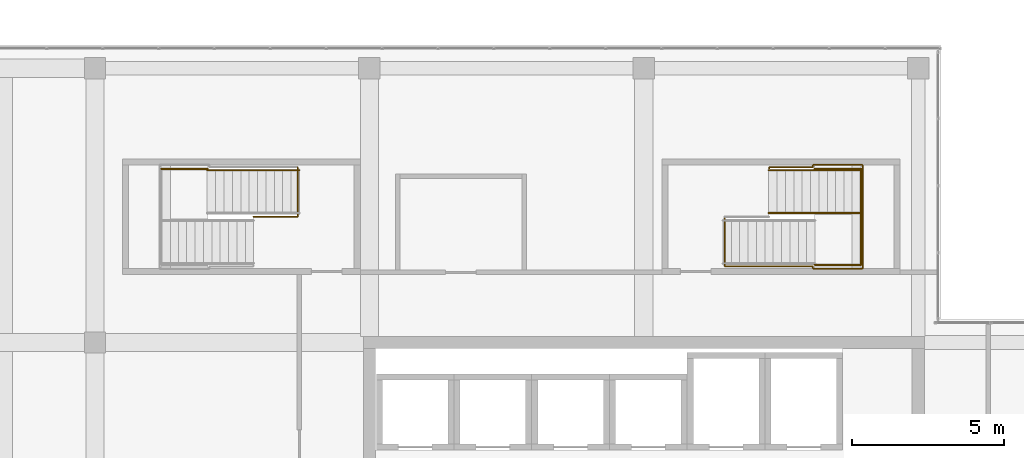
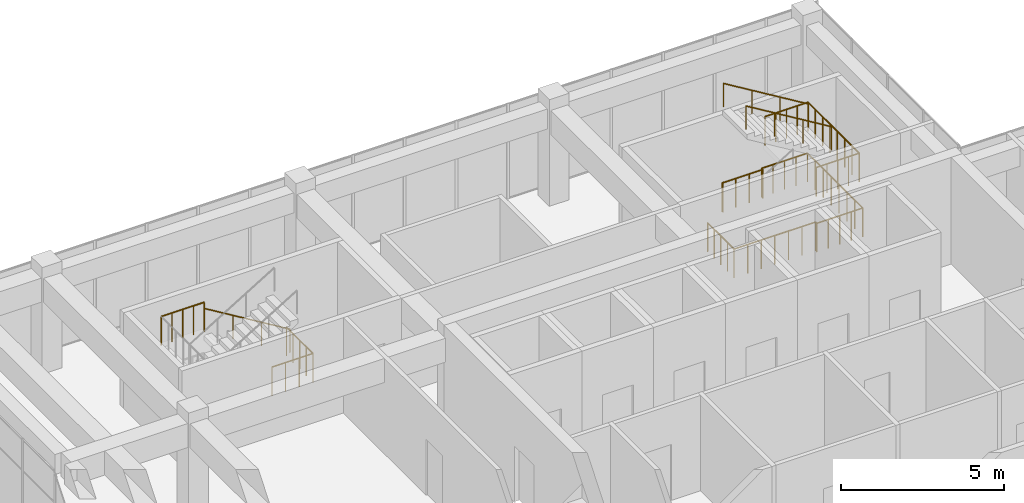
# One storey, part 32 of 32: 9 railings.
"""IFC4 building model written with IfcOpenShell, lengths in metres."""

from ifc_helpers import new_model, si_unit, direction, frame, origin, origin_2d, place, context, subcontext, project, spatial, circle, extrude, material, type_object, element, save


model = new_model("IFC4")

# Units and contexts
model_context = context("Model", 3, precision=1e-05, world=origin(), true_north=direction((0.0, 1.0)))
body_context = subcontext(model_context, "Body", "Model", "MODEL_VIEW")
ifc_project = project(units=[si_unit("LENGTHUNIT", "METRE"), si_unit("AREAUNIT", "SQUARE_METRE"), si_unit("VOLUMEUNIT", "CUBIC_METRE"), si_unit("PLANEANGLEUNIT", "RADIAN"), si_unit("MASSUNIT", "GRAM", prefix="KILO")], contexts=[model_context])

# Site, building, storey
site_placement = place(None, origin())
site = spatial("IfcSite", under=ifc_project, at=site_placement, CompositionType="ELEMENT")
building_placement = place(site_placement, origin())
building = spatial("IfcBuilding", under=site, at=building_placement, Name="Tuart Plaza Theatre", CompositionType="ELEMENT")
storey_placement = place(building_placement, frame((0.0, 0.0, 37.5)))
storey = spatial("IfcBuildingStorey", under=building, at=storey_placement, Name="L09", CompositionType="ELEMENT", Elevation=37.5)

# Railings
ifc_material_1 = material(Name="Steel Grade C350L0", Category="steel")
railing_type_1 = type_object("IfcRailingType", Name="RAILING Guard 1100", PredefinedType="GUARDRAIL", material=ifc_material_1)
railing_1_placement = place(storey_placement, frame((136.114990234375, 88.705078125, 0.0)))
element("IfcRailing", 1, at=railing_1_placement, inside=storey, type_object=railing_type_1, Name="GR319", PredefinedType="GUARDRAIL", context=body_context, shape_type="SweptSolid", body=[
    extrude(circle(Radius=0.02490234375, at=origin_2d()), frame((0.0, 0.0, 1.0751953125), z_axis=(0.0, 1.0, 0.0), x_axis=(-1.0, 0.0, 0.0)), (0.0, 0.0, 1.0), 0.044921875),
    extrude(circle(Radius=0.02490234375, at=origin_2d()), frame((0.0, 0.044921875, 1.0751953125), z_axis=(1.0, 0.0, 0.0), x_axis=(0.0, 1.0, 0.0)), (0.0, 0.0, 1.0), 1.43505859375),
    extrude(circle(Radius=0.02490234375, at=origin_2d()), frame((1.43505859375, 0.044921875, 1.0751953125), z_axis=(0.0, 1.0, 0.0), x_axis=(-1.0, 0.0, 0.0)), (0.0, 0.0, 1.0), 0.074951171875),
    extrude(circle(Radius=0.02490234375, at=origin_2d()), frame((1.43505859375, 0.119873046875, 1.0751953125), z_axis=(1.0, 0.0, 0.0), x_axis=(0.0, 1.0, 0.0)), (0.0, 0.0, 1.0), 1.6298828125),
    extrude(circle(Radius=0.02490234375, at=origin_2d()), frame((3.06494140625, 0.119873046875, 1.0751953125), z_axis=(0.0, -1.0, 0.0), x_axis=(1.0, 0.0, 0.0)), (0.0, 0.0, 1.0), 3.39990234375),
    extrude(circle(Radius=0.02490234375, at=origin_2d()), frame((3.06494140625, -3.280029296875, 1.0751953125), z_axis=(-1.0, 0.0, 0.0), x_axis=(0.0, -1.0, 0.0)), (0.0, 0.0, 1.0), 1.6298828125),
    extrude(circle(Radius=0.02490234375, at=origin_2d()), frame((1.43505859375, -3.280029296875, 1.0751953125), z_axis=(0.0, 1.0, 0.0), x_axis=(-1.0, 0.0, 0.0)), (0.0, 0.0, 1.0), 0.074951171875),
    extrude(circle(Radius=0.02490234375, at=origin_2d()), frame((1.43505859375, -3.205078125, 1.0751953125), z_axis=(-1.0, 0.0, 0.0), x_axis=(0.0, -1.0, 0.0)), (0.0, 0.0, 1.0), 2.89501953125),
    extrude(circle(Radius=0.02490234375, at=origin_2d()), frame((-1.4599609375, -3.205078125, 1.0751953125), z_axis=(0.0, 1.0, 0.0), x_axis=(-1.0, 0.0, 0.0)), (0.0, 0.0, 1.0), 1.625),
    extrude(circle(Radius=0.02001953125, at=origin_2d()), origin(), (0.0, 0.0, 1.0), 1.050048828125),
    extrude(circle(Radius=0.02001953125, at=origin_2d()), frame((0.0, 0.044921875, 0.0)), (0.0, 0.0, 1.0), 1.050048828125),
    extrude(circle(Radius=0.02001953125, at=origin_2d()), frame((0.478271484375, 0.044921875, 0.0)), (0.0, 0.0, 1.0), 1.050048828125),
    extrude(circle(Radius=0.02001953125, at=origin_2d()), frame((0.956787109375, 0.044921875, 0.0)), (0.0, 0.0, 1.0), 1.050048828125),
    extrude(circle(Radius=0.02001953125, at=origin_2d()), frame((1.43505859375, 0.044921875, 0.0)), (0.0, 0.0, 1.0), 1.050048828125),
    extrude(circle(Radius=0.02001953125, at=origin_2d()), frame((1.43505859375, 0.119873046875, 0.0)), (0.0, 0.0, 1.0), 1.050048828125),
    extrude(circle(Radius=0.02001953125, at=origin_2d()), frame((1.842529296875, 0.119873046875, 0.0)), (0.0, 0.0, 1.0), 1.050048828125),
    extrude(circle(Radius=0.02001953125, at=origin_2d()), frame((2.25, 0.119873046875, 0.0)), (0.0, 0.0, 1.0), 1.050048828125),
    extrude(circle(Radius=0.02001953125, at=origin_2d()), frame((2.657470703125, 0.119873046875, 0.0)), (0.0, 0.0, 1.0), 1.050048828125),
    extrude(circle(Radius=0.02001953125, at=origin_2d()), frame((3.06494140625, 0.119873046875, 0.0)), (0.0, 0.0, 1.0), 1.050048828125),
    extrude(circle(Radius=0.02001953125, at=origin_2d()), frame((3.06494140625, -0.36572265625, 0.0)), (0.0, 0.0, 1.0), 1.050048828125),
    extrude(circle(Radius=0.02001953125, at=origin_2d()), frame((3.06494140625, -0.8515625, 0.0)), (0.0, 0.0, 1.0), 1.050048828125),
    extrude(circle(Radius=0.02001953125, at=origin_2d()), frame((3.06494140625, -1.337158203125, 0.0)), (0.0, 0.0, 1.0), 1.050048828125),
    extrude(circle(Radius=0.02001953125, at=origin_2d()), frame((3.06494140625, -1.822998046875, 0.0)), (0.0, 0.0, 1.0), 1.050048828125),
    extrude(circle(Radius=0.02001953125, at=origin_2d()), frame((3.06494140625, -2.30859375, 0.0)), (0.0, 0.0, 1.0), 1.050048828125),
    extrude(circle(Radius=0.02001953125, at=origin_2d()), frame((3.06494140625, -2.79443359375, 0.0)), (0.0, 0.0, 1.0), 1.050048828125),
    extrude(circle(Radius=0.02001953125, at=origin_2d()), frame((3.06494140625, -3.280029296875, 0.0)), (0.0, 0.0, 1.0), 1.050048828125),
    extrude(circle(Radius=0.02001953125, at=origin_2d()), frame((2.657470703125, -3.280029296875, 0.0)), (0.0, 0.0, 1.0), 1.050048828125),
    extrude(circle(Radius=0.02001953125, at=origin_2d()), frame((2.25, -3.280029296875, 0.0)), (0.0, 0.0, 1.0), 1.050048828125),
    extrude(circle(Radius=0.02001953125, at=origin_2d()), frame((1.842529296875, -3.280029296875, 0.0)), (0.0, 0.0, 1.0), 1.050048828125),
    extrude(circle(Radius=0.02001953125, at=origin_2d()), frame((1.43505859375, -3.280029296875, 0.0)), (0.0, 0.0, 1.0), 1.050048828125),
    extrude(circle(Radius=0.02001953125, at=origin_2d()), frame((1.43505859375, -3.205078125, 0.0)), (0.0, 0.0, 1.0), 1.050048828125),
    extrude(circle(Radius=0.02001953125, at=origin_2d()), frame((0.95263671875, -3.205078125, 0.0)), (0.0, 0.0, 1.0), 1.050048828125),
    extrude(circle(Radius=0.02001953125, at=origin_2d()), frame((0.469970703125, -3.205078125, 0.0)), (0.0, 0.0, 1.0), 1.050048828125),
    extrude(circle(Radius=0.02001953125, at=origin_2d()), frame((-0.012451171875, -3.205078125, 0.0)), (0.0, 0.0, 1.0), 1.050048828125),
    extrude(circle(Radius=0.02001953125, at=origin_2d()), frame((-0.494873046875, -3.205078125, 0.0)), (0.0, 0.0, 1.0), 1.050048828125),
    extrude(circle(Radius=0.02001953125, at=origin_2d()), frame((-0.9775390625, -3.205078125, 0.0)), (0.0, 0.0, 1.0), 1.050048828125),
    extrude(circle(Radius=0.02001953125, at=origin_2d()), frame((-1.4599609375, -3.205078125, 0.0)), (0.0, 0.0, 1.0), 1.050048828125),
    extrude(circle(Radius=0.02001953125, at=origin_2d()), frame((-1.4599609375, -2.798828125, 0.0)), (0.0, 0.0, 1.0), 1.050048828125),
    extrude(circle(Radius=0.02001953125, at=origin_2d()), frame((-1.4599609375, -2.392578125, 0.0)), (0.0, 0.0, 1.0), 1.050048828125),
    extrude(circle(Radius=0.02001953125, at=origin_2d()), frame((-1.4599609375, -1.986328125, 0.0)), (0.0, 0.0, 1.0), 1.050048828125),
    extrude(circle(Radius=0.02001953125, at=origin_2d()), frame((-1.4599609375, -1.580078125, 0.0)), (0.0, 0.0, 1.0), 1.050048828125),
])
railing_2_placement = place(storey_placement, frame((137.60009765625, 85.550048828125, 2.0)))
element("IfcRailing", 2, at=railing_2_placement, inside=storey, type_object=railing_type_1, Name="GR325", PredefinedType="GUARDRAIL", context=body_context, shape_type="SweptSolid", body=[
    extrude(circle(Radius=0.02490234375, at=origin_2d()), frame((0.0, 0.0, 1.0751953125), z_axis=(1.0, 0.0, 0.0), x_axis=(0.0, 1.0, 0.0)), (0.0, 0.0, 1.0), 1.52978515625),
    extrude(circle(Radius=0.02001953125, at=origin_2d()), origin(), (0.0, 0.0, 1.0), 1.050048828125),
    extrude(circle(Radius=0.02001953125, at=origin_2d()), frame((0.38232421875, 0.0, 0.0)), (0.0, 0.0, 1.0), 1.050048828125),
    extrude(circle(Radius=0.02001953125, at=origin_2d()), frame((0.764892578125, 0.0, 0.0)), (0.0, 0.0, 1.0), 1.050048828125),
    extrude(circle(Radius=0.02001953125, at=origin_2d()), frame((1.1474609375, 0.0, 0.0)), (0.0, 0.0, 1.0), 1.050048828125),
    extrude(circle(Radius=0.02001953125, at=origin_2d()), frame((1.52978515625, 0.0, 0.0)), (0.0, 0.0, 1.0), 1.050048828125),
])
railing_3_placement = place(storey_placement, frame((139.1298828125, 85.550048828125, 2.0)))
element("IfcRailing", 3, at=railing_3_placement, inside=storey, type_object=railing_type_1, Name="GR326", PredefinedType="GUARDRAIL", context=body_context, shape_type="SweptSolid", body=[
    extrude(circle(Radius=0.02490234375, at=origin_2d()), frame((0.0, 0.0, 1.0751953125), z_axis=(0.0, 1.0, 0.0), x_axis=(-1.0, 0.0, 0.0)), (0.0, 0.0, 1.0), 3.14990234375),
    extrude(circle(Radius=0.02001953125, at=origin_2d()), origin(), (0.0, 0.0, 1.0), 1.050048828125),
    extrude(circle(Radius=0.02001953125, at=origin_2d()), frame((0.0, 0.449951171875, 0.0)), (0.0, 0.0, 1.0), 1.050048828125),
    extrude(circle(Radius=0.02001953125, at=origin_2d()), frame((0.0, 0.89990234375, 0.0)), (0.0, 0.0, 1.0), 1.050048828125),
    extrude(circle(Radius=0.02001953125, at=origin_2d()), frame((0.0, 1.349853515625, 0.0)), (0.0, 0.0, 1.0), 1.050048828125),
    extrude(circle(Radius=0.02001953125, at=origin_2d()), frame((0.0, 1.800048828125, 0.0)), (0.0, 0.0, 1.0), 1.050048828125),
    extrude(circle(Radius=0.02001953125, at=origin_2d()), frame((0.0, 2.25, 0.0)), (0.0, 0.0, 1.0), 1.050048828125),
    extrude(circle(Radius=0.02001953125, at=origin_2d()), frame((0.0, 2.699951171875, 0.0)), (0.0, 0.0, 1.0), 1.050048828125),
    extrude(circle(Radius=0.02001953125, at=origin_2d()), frame((0.0, 3.14990234375, 0.0)), (0.0, 0.0, 1.0), 1.050048828125),
])
railing_4_placement = place(storey_placement, frame((139.1298828125, 88.699951171875, 2.0)))
element("IfcRailing", 4, at=railing_4_placement, inside=storey, type_object=railing_type_1, Name="GR327", PredefinedType="GUARDRAIL", context=body_context, shape_type="SweptSolid", body=[
    extrude(circle(Radius=0.02490234375, at=origin_2d()), frame((0.0, 0.0, 1.0751953125), z_axis=(-1.0, 0.0, 0.0), x_axis=(0.0, -1.0, 0.0)), (0.0, 0.0, 1.0), 1.52978515625),
    extrude(circle(Radius=0.02001953125, at=origin_2d()), origin(), (0.0, 0.0, 1.0), 1.050048828125),
    extrude(circle(Radius=0.02001953125, at=origin_2d()), frame((-0.38232421875, 0.0, 0.0)), (0.0, 0.0, 1.0), 1.050048828125),
    extrude(circle(Radius=0.02001953125, at=origin_2d()), frame((-0.764892578125, 0.0, 0.0)), (0.0, 0.0, 1.0), 1.050048828125),
    extrude(circle(Radius=0.02001953125, at=origin_2d()), frame((-1.1474609375, 0.0, 0.0)), (0.0, 0.0, 1.0), 1.050048828125),
    extrude(circle(Radius=0.02001953125, at=origin_2d()), frame((-1.52978515625, 0.0, 0.0)), (0.0, 0.0, 1.0), 1.050048828125),
])
railing_5_placement = place(storey_placement, frame((120.64501953125, 88.75, 0.0)))
element("IfcRailing", 5, at=railing_5_placement, inside=storey, type_object=railing_type_1, Name="GR397", PredefinedType="GUARDRAIL", context=body_context, shape_type="SweptSolid", body=[
    extrude(circle(Radius=0.02490234375, at=origin_2d()), frame((0.0, 0.0, 1.0751953125), z_axis=(0.0, -1.0, 0.0), x_axis=(1.0, 0.0, 0.0)), (0.0, 0.0, 1.0), 1.625),
    extrude(circle(Radius=0.02490234375, at=origin_2d()), frame((0.0, -1.625, 1.0751953125), z_axis=(-1.0, 0.0, 0.0), x_axis=(0.0, -1.0, 0.0)), (0.0, 0.0, 1.0), 1.455078125),
    extrude(circle(Radius=0.02001953125, at=origin_2d()), origin(), (0.0, 0.0, 1.0), 1.050048828125),
    extrude(circle(Radius=0.02001953125, at=origin_2d()), frame((0.0, -0.40625, 0.0)), (0.0, 0.0, 1.0), 1.050048828125),
    extrude(circle(Radius=0.02001953125, at=origin_2d()), frame((0.0, -0.8125, 0.0)), (0.0, 0.0, 1.0), 1.050048828125),
    extrude(circle(Radius=0.02001953125, at=origin_2d()), frame((0.0, -1.21875, 0.0)), (0.0, 0.0, 1.0), 1.050048828125),
    extrude(circle(Radius=0.02001953125, at=origin_2d()), frame((0.0, -1.625, 0.0)), (0.0, 0.0, 1.0), 1.050048828125),
    extrude(circle(Radius=0.02001953125, at=origin_2d()), frame((-0.485107421875, -1.625, 0.0)), (0.0, 0.0, 1.0), 1.050048828125),
    extrude(circle(Radius=0.02001953125, at=origin_2d()), frame((-0.969970703125, -1.625, 0.0)), (0.0, 0.0, 1.0), 1.050048828125),
    extrude(circle(Radius=0.02001953125, at=origin_2d()), frame((-1.455078125, -1.625, 0.0)), (0.0, 0.0, 1.0), 1.050048828125),
])
railing_6_placement = place(storey_placement, frame((117.699951171875, 88.699951171875, 2.0)))
element("IfcRailing", 6, at=railing_6_placement, inside=storey, type_object=railing_type_1, Name="GR404", PredefinedType="GUARDRAIL", context=body_context, shape_type="SweptSolid", body=[
    extrude(circle(Radius=0.02490234375, at=origin_2d()), frame((0.0, 0.0, 1.0751953125), z_axis=(-1.0, 0.0, 0.0), x_axis=(0.0, -1.0, 0.0)), (0.0, 0.0, 1.0), 1.530029296875),
    extrude(circle(Radius=0.02001953125, at=origin_2d()), origin(), (0.0, 0.0, 1.0), 1.050048828125),
    extrude(circle(Radius=0.02001953125, at=origin_2d()), frame((-0.382568359375, 0.0, 0.0)), (0.0, 0.0, 1.0), 1.050048828125),
    extrude(circle(Radius=0.02001953125, at=origin_2d()), frame((-0.76513671875, 0.0, 0.0)), (0.0, 0.0, 1.0), 1.050048828125),
    extrude(circle(Radius=0.02001953125, at=origin_2d()), frame((-1.1474609375, 0.0, 0.0)), (0.0, 0.0, 1.0), 1.050048828125),
    extrude(circle(Radius=0.02001953125, at=origin_2d()), frame((-1.530029296875, 0.0, 0.0)), (0.0, 0.0, 1.0), 1.050048828125),
])
ifc_material_2 = material(Name="Steel Grade C350L0", Category="steel")
railing_type_2 = type_object("IfcRailingType", Name="RAILING Handrail 900", PredefinedType="HANDRAIL", material=ifc_material_2)
for number, where, name in (
    (7, (139.1201171875, 87.25, 2.166748046875), "HR217"),
    (8, (139.1201171875, 88.64990234375, 2.166748046875), "HR218"),
    (9, (120.705078125, 88.64990234375, 0.166748046875), "HR280"),
):
    element("IfcRailing", number, at=place(storey_placement, frame(where)), inside=storey, type_object=railing_type_2, Name=name, PredefinedType="HANDRAIL", context=body_context, shape_type="SweptSolid", body=[
        extrude(circle(Radius=0.0224609375, at=origin_2d()), frame((0.0, 0.0, 0.87744140625), z_axis=(-0.855219153138, 0.0, 0.518266533848), x_axis=(0.0, -1.0, 0.0)), (0.0, 0.0, 1.0), 3.537353515625),
        extrude(circle(Radius=0.01513671875, at=origin_2d()), origin(), (0.0, 0.0, 1.0), 0.85498046875),
        extrude(circle(Radius=0.01513671875, at=origin_2d()), frame((-1.00830078125, 0.0, 0.611083984375)), (0.0, 0.0, 1.0), 0.85498046875),
        extrude(circle(Radius=0.01513671875, at=origin_2d()), frame((-2.016845703125, 0.0, 1.22216796875)), (0.0, 0.0, 1.0), 0.85498046875),
        extrude(circle(Radius=0.01513671875, at=origin_2d()), frame((-3.025146484375, 0.0, 1.833251953125)), (0.0, 0.0, 1.0), 0.85498046875),
    ])

save(model, "model.ifc")
